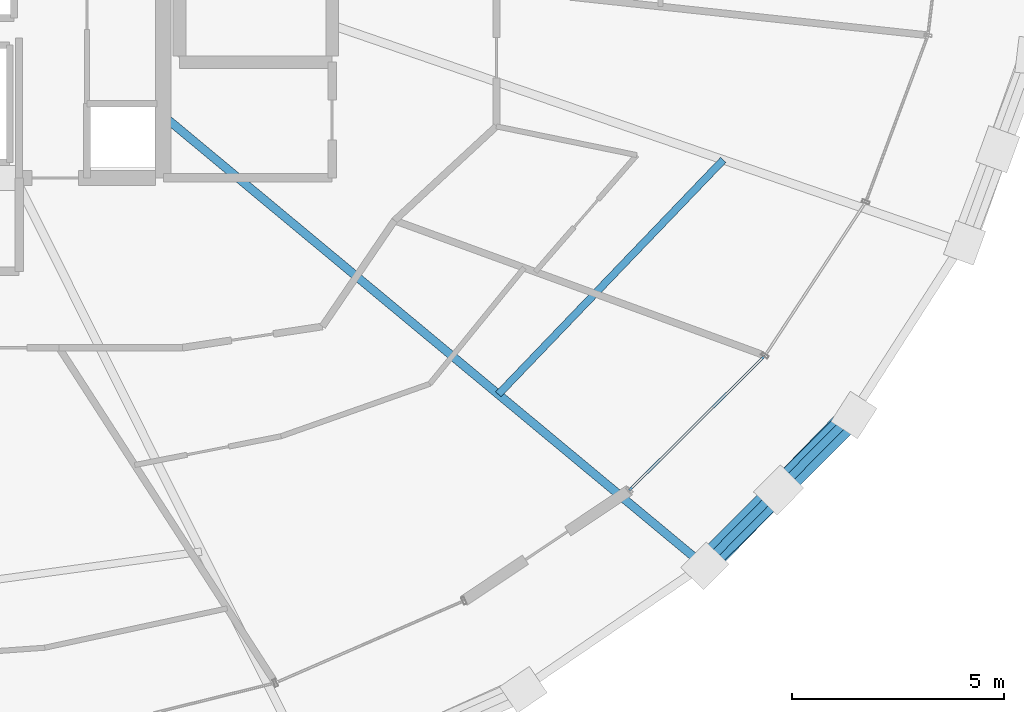
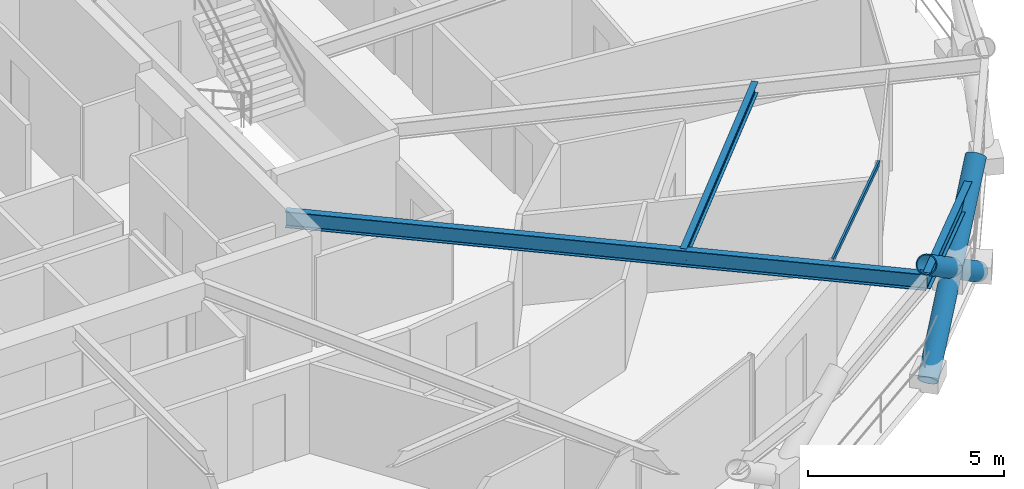
# One storey, part 8 of 19: 4 members, 3 beams, 1 element without a shape of its own.
"""IFC4 building model written with IfcOpenShell, lengths in metres."""

import ifcopenshell
import ifcopenshell.guid

model = None  # the IFC model being written
_history = None  # IfcOwnerHistory: only IFC2X3 demands one
_inside = {}  # id of a spatial element -> (the spatial element, [elements in it])
_under = {}  # id of a project, library or spatial element -> (it, [spatial elements below it])
_declared = {}  # id of a project -> (the project, [libraries it declares])
_typed = {}  # id of a type object -> (the type object, [elements of that type])
_made_of = {}  # id of a material, layer set ... -> (it, [elements and type objects made of it])


def new_model(schema):
    """Start an empty IFC model of exactly this schema.

    Asked for "IFC4X3", IfcOpenShell would pick the latest addendum, in which some entities
    have other attributes; the version numbers below select the first issue.
    IFC2X3 requires an IfcOwnerHistory on every rooted entity: one is made here for all.
    """
    global model, _history
    if schema == "IFC4X3":
        model = ifcopenshell.file(schema_version=(4, 3, 0, 0))
    else:
        model = ifcopenshell.file(schema=schema)
    _inside.clear()
    _under.clear()
    _declared.clear()
    _typed.clear()
    _made_of.clear()
    _history = None
    if model.schema == "IFC2X3":
        org = make("IfcOrganization", Name="unknown")
        user = make(
            "IfcPersonAndOrganization",
            ThePerson=make("IfcPerson", FamilyName="unknown"),
            TheOrganization=org,
        )
        app = make(
            "IfcApplication",
            ApplicationDeveloper=org,
            Version="unknown",
            ApplicationFullName="unknown",
            ApplicationIdentifier="unknown",
        )
        _history = make(
            "IfcOwnerHistory",
            OwningUser=user,
            OwningApplication=app,
            ChangeAction="ADDED",
            CreationDate=0,
        )
    return model


def make(cls, **values):
    """One entity of the class cls with the attributes given. An attribute that is None is left unset."""
    return model.create_entity(
        cls, **{name: value for name, value in values.items() if value is not None}
    )


def rooted(cls, **values):
    """An entity with a GlobalId (a new one), such as an element, a storey or a relation."""
    return make(cls, GlobalId=ifcopenshell.guid.new(), OwnerHistory=_history, **values)


def si_unit(unit_type, name, prefix=None):
    """IfcSIUnit, for example si_unit("LENGTHUNIT", "METRE", prefix="MILLI")."""
    return make("IfcSIUnit", UnitType=unit_type, Prefix=prefix, Name=name)


def assignment(units):
    """IfcUnitAssignment: the units of a project."""
    return None if units is None else make("IfcUnitAssignment", Units=units)


def point(xyz):
    """IfcCartesianPoint."""
    return None if xyz is None else make("IfcCartesianPoint", Coordinates=xyz)


def direction(xyz):
    """IfcDirection."""
    return None if xyz is None else make("IfcDirection", DirectionRatios=xyz)


def frame(location, z_axis=None, x_axis=None):
    """IfcAxis2Placement3D, a coordinate frame: its origin and axes. An axis left out is left unset."""
    return make(
        "IfcAxis2Placement3D",
        Location=point(location),
        Axis=direction(z_axis),
        RefDirection=direction(x_axis),
    )


def frame_2d(location, x_axis=None):
    """IfcAxis2Placement2D, a coordinate frame in the plane: its origin and x axis."""
    return make(
        "IfcAxis2Placement2D", Location=point(location), RefDirection=direction(x_axis)
    )


def origin():
    """The frame at (0, 0, 0) with its axes left unset."""
    return frame((0.0, 0.0, 0.0))


def origin_2d():
    """The frame at (0, 0) in the plane with its x axis left unset."""
    return frame_2d((0.0, 0.0))


def place(relative_to, where):
    """IfcLocalPlacement: puts the frame where relative to a parent placement (None: the world)."""
    return make(
        "IfcLocalPlacement", PlacementRelTo=relative_to, RelativePlacement=where
    )


def context(
    kind, dimensions, precision=None, world=None, true_north=None, identifier=None
):
    """IfcGeometricRepresentationContext, for example the 3D "Model" context."""
    return make(
        "IfcGeometricRepresentationContext",
        ContextIdentifier=identifier,
        ContextType=kind,
        CoordinateSpaceDimension=dimensions,
        Precision=precision,
        WorldCoordinateSystem=world,
        TrueNorth=true_north,
    )


def subcontext(parent, identifier, kind, view, scale=None):
    """IfcGeometricRepresentationSubContext, for example "Body" below "Model"."""
    return make(
        "IfcGeometricRepresentationSubContext",
        ContextIdentifier=identifier,
        ContextType=kind,
        ParentContext=parent,
        TargetScale=scale,
        TargetView=view,
    )


def project(units=None, contexts=None):
    """IfcProject with its units and contexts."""
    return rooted(
        "IfcProject",
        Name="project",
        RepresentationContexts=contexts,
        UnitsInContext=assignment(units),
    )


def spatial(cls, under=None, at=None, **own):
    """A site, building, storey or space (cls), placed at a placement, below another one or the project."""
    s = rooted(cls, ObjectPlacement=at, **own)
    if under is not None:
        _under.setdefault(under.id(), (under, []))[1].append(s)
    return s


def profile(cls, at=None, kind="AREA", **sizes):
    """A parametric profile (cls). Its sizes go by their IFC names, for example OverallWidth=200.0."""
    return make(cls, ProfileType=kind, Position=at, **sizes)


def hollow_rectangle(**sizes):
    """IfcRectangleHollowProfileDef."""
    return profile("IfcRectangleHollowProfileDef", **sizes)


def hollow_circle(**sizes):
    """IfcCircleHollowProfileDef."""
    return profile("IfcCircleHollowProfileDef", **sizes)


def i_section(**sizes):
    """IfcIShapeProfileDef."""
    return profile("IfcIShapeProfileDef", **sizes)


def extrude(swept, where, along, depth):
    """IfcExtrudedAreaSolid: the profile swept, set in the frame where, extruded along a direction by depth."""
    return make(
        "IfcExtrudedAreaSolid",
        SweptArea=swept,
        Position=where,
        ExtrudedDirection=direction(along),
        Depth=depth,
    )


def shape(context_of_items, identifier, shape_type, items):
    """IfcShapeRepresentation: the items that make up one representation, for example the "Body"."""
    return make(
        "IfcShapeRepresentation",
        ContextOfItems=context_of_items,
        RepresentationIdentifier=identifier,
        RepresentationType=shape_type,
        Items=items,
    )


def material(Name=None, Category=None):
    """IfcMaterial."""
    return make("IfcMaterial", Name=Name, Category=Category)


def layer(
    of_material, thickness, ventilated=None, Name=None, Category=None, Priority=None
):
    """IfcMaterialLayer: one layer of a wall or slab, of a material (None: an air gap)."""
    return make(
        "IfcMaterialLayer",
        Material=of_material,
        LayerThickness=thickness,
        IsVentilated=ventilated,
        Name=Name,
        Category=Category,
        Priority=Priority,
    )


def layer_set(layers, Name=None):
    """IfcMaterialLayerSet."""
    return make("IfcMaterialLayerSet", MaterialLayers=layers, LayerSetName=Name)


def material_profile(
    of_material, cross_section, Name=None, Category=None, Priority=None
):
    """IfcMaterialProfile: a cross section and its material."""
    return make(
        "IfcMaterialProfile",
        Name=Name,
        Material=of_material,
        Profile=cross_section,
        Priority=Priority,
        Category=Category,
    )


def profile_set(profiles, Name=None, composite=None):
    """IfcMaterialProfileSet."""
    return make(
        "IfcMaterialProfileSet",
        Name=Name,
        MaterialProfiles=profiles,
        CompositeProfile=composite,
    )


def made_of(thing, what):
    """Note that an element or type object is made of a material, layer set ...; save() writes the relation."""
    if what is not None:
        _made_of.setdefault(what.id(), (what, []))[1].append(thing)
    return thing


def type_object(cls, material=None, **own):
    """A type object (cls), such as IfcWallType, which elements share."""
    return made_of(rooted(cls, **own), material)


def element(
    cls,
    number,
    at=None,
    inside=None,
    cuts=None,
    type_object=None,
    material=None,
    context=None,
    identifier="Body",
    shape_type=None,
    held_by="IfcProductDefinitionShape",
    body=None,
    shapes=None,
    **own,
):
    """One element of the class cls, such as IfcWall. Its Tag is "e" and its number.

    at: its placement. inside: the storey or other place that contains it. cuts: it is an
    opening in that element (IfcRelVoidsElement). A single representation is given by context,
    identifier, shape_type and body (its items); several are given by shapes. held_by: the class
    of the entity that holds the representations. save() writes the other relations.
    """
    e = rooted(cls, Tag="e%d" % number, ObjectPlacement=at, **own)
    if body is not None:
        shapes = [shape(context, identifier, shape_type, body)]
    if shapes is not None:
        e.Representation = make(held_by, Representations=shapes)
    if inside is not None:
        _inside.setdefault(inside.id(), (inside, []))[1].append(e)
    if cuts is not None:
        rooted(
            "IfcRelVoidsElement", RelatingBuildingElement=cuts, RelatedOpeningElement=e
        )
    if type_object is not None:
        _typed.setdefault(type_object.id(), (type_object, []))[1].append(e)
    return made_of(e, material)


def aggregate(whole, parts):
    """IfcRelAggregates: a whole, such as a stair, and the parts it consists of."""
    return rooted("IfcRelAggregates", RelatingObject=whole, RelatedObjects=parts)


def save(model, path):
    """Write the relations noted so far, then the file.

    IfcRelAggregates (storeys below a building ...), IfcRelContainedInSpatialStructure (elements
    in a storey), IfcRelDefinesByType, IfcRelAssociatesMaterial and IfcRelDeclares: one each for
    every whole, place, type object, material and project.
    """
    for whole, parts in _under.values():
        aggregate(whole, parts)
    for where, things in _inside.values():
        rooted(
            "IfcRelContainedInSpatialStructure",
            RelatedElements=things,
            RelatingStructure=where,
        )
    for kind, things in _typed.values():
        rooted("IfcRelDefinesByType", RelatedObjects=things, RelatingType=kind)
    for what, things in _made_of.values():
        rooted("IfcRelAssociatesMaterial", RelatedObjects=things, RelatingMaterial=what)
    for by, libraries in _declared.values():
        rooted("IfcRelDeclares", RelatingContext=by, RelatedDefinitions=libraries)
    model.write(path)


model = new_model("IFC4")

# Units and contexts
model_context = context("Model", 3, precision=1e-05, world=origin(), true_north=direction((0.0, 1.0)))
body_context = subcontext(model_context, "Body", "Model", "MODEL_VIEW")
ifc_project = project(units=[si_unit("LENGTHUNIT", "METRE"), si_unit("AREAUNIT", "SQUARE_METRE"), si_unit("VOLUMEUNIT", "CUBIC_METRE"), si_unit("PLANEANGLEUNIT", "RADIAN"), si_unit("MASSUNIT", "GRAM", prefix="KILO")], contexts=[model_context])

# Site, building, storey
site_placement = place(None, origin())
site = spatial("IfcSite", under=ifc_project, at=site_placement, CompositionType="ELEMENT")
building_placement = place(site_placement, origin())
building = spatial("IfcBuilding", under=site, at=building_placement, Name="Veldorina Hangang Commons", CompositionType="ELEMENT")
storey_placement = place(building_placement, frame((0.0, 0.0, 156.800048828125)))
storey = spatial("IfcBuildingStorey", under=building, at=storey_placement, Name="L40", CompositionType="ELEMENT", Elevation=156.800048828125)

# Beams
ifc_material_1 = material(Name="Steel SM420-TMC", Category="steel")
ifc_material_profile_1 = material_profile(ifc_material_1, i_section(OverallWidth=0.199951171875, OverallDepth=0.5, WebThickness=0.010009765625, FlangeThickness=0.01611328125, FilletRadius=0.01611328125, at=origin_2d()), Name="H-500x200x10x16")
ifc_profile_set_1 = profile_set([ifc_material_profile_1], Name="Steel SM420-TMC")
beam_type_1 = type_object("IfcBeamType", Name="BM-FG500", PredefinedType="BEAM", material=ifc_profile_set_1)
beam_1_placement = place(storey_placement, frame((39.199951171875, 18.01513671875, 3.099853515625), z_axis=(0.769016904009, -0.639228442224, 0.0), x_axis=(0.639228442224, 0.769016904009, 0.0)))
element("IfcBeam", 1, at=beam_1_placement, inside=storey, type_object=beam_type_1, Name="L40 radial floor girder 15", PredefinedType="BEAM", context=body_context, shape_type="SweptSolid", body=[
    extrude(i_section(OverallWidth=0.199951171875, OverallDepth=0.5, WebThickness=0.010009765625, FlangeThickness=0.01611328125, FilletRadius=0.01611328125, at=origin_2d()), origin(), (0.0, 0.0, 1.0), 16.562744140625),
])
ifc_material_2 = material(Name="Steel SM355-TMC", Category="steel")
ifc_material_profile_2 = material_profile(ifc_material_2, i_section(OverallWidth=0.175048828125, OverallDepth=0.35009765625, WebThickness=0.007080078125, FlangeThickness=0.010986328125, FilletRadius=0.012939453125, at=origin_2d()), Name="H-350x175x7x11")
ifc_profile_set_2 = profile_set([ifc_material_profile_2], Name="Steel SM355-TMC")
beam_type_2 = type_object("IfcBeamType", Name="BM-JST350", PredefinedType="JOIST", material=ifc_profile_set_2)
beam_2_placement = place(storey_placement, frame((47.096923828125, 11.450927734375, 3.175048828125), z_axis=(0.692338019076, 0.721573327765, 0.0), x_axis=(-0.721573327765, 0.692338019076, 0.0)))
element("IfcBeam", 2, at=beam_2_placement, inside=storey, type_object=beam_type_2, Name="L40 secondary floor joist 15", PredefinedType="JOIST", context=body_context, shape_type="SweptSolid", body=[
    extrude(i_section(OverallWidth=0.175048828125, OverallDepth=0.35009765625, WebThickness=0.007080078125, FlangeThickness=0.010986328125, FilletRadius=0.012939453125, at=origin_2d()), origin(), (0.0, 0.0, 1.0), 7.65771484375),
])
ifc_material_profile_3 = material_profile(ifc_material_1, i_section(OverallWidth=0.199951171875, OverallDepth=0.5, WebThickness=0.010009765625, FlangeThickness=0.01611328125, FilletRadius=0.01611328125, at=origin_2d()), Name="H-500x200x10x16")
ifc_profile_set_3 = profile_set([ifc_material_profile_3], Name="Steel SM420-TMC")
beam_type_3 = type_object("IfcBeamType", Name="BM-RB500", PredefinedType="BEAM", material=ifc_profile_set_3)
beam_3_placement = place(storey_placement, frame((51.93701171875, 7.427734375, 3.099853515625), z_axis=(0.702567342584, 0.711617263095, 0.0), x_axis=(-0.711617263095, 0.702567342584, 0.0)))
element("IfcBeam", 3, at=beam_3_placement, inside=storey, type_object=beam_type_3, Name="L40 perimeter hoop ring beam 28", PredefinedType="BEAM", context=body_context, shape_type="SweptSolid", body=[
    extrude(i_section(OverallWidth=0.199951171875, OverallDepth=0.5, WebThickness=0.010009765625, FlangeThickness=0.01611328125, FilletRadius=0.01611328125, at=origin_2d()), origin(), (0.0, 0.0, 1.0), 4.99072265625),
])

# Curtain wall, member
ifc_material_3 = material(Name="Glass Low-E Triple IGU", Category="glass")
ifc_layer = layer(ifc_material_3, 0.179931640625)
ifc_layer_set = layer_set([ifc_layer], Name="Glass Low-E Triple IGU")
curtain_wall_type = type_object("IfcCurtainWallType", Name="CW-SYS-Z2", PredefinedType="NOTDEFINED", material=ifc_layer_set)
curtain_wall_placement = place(storey_placement, origin())
curtain_wall = element("IfcCurtainWall", 4, at=curtain_wall_placement, inside=storey, type_object=curtain_wall_type, Name="L40 unitised curtain wall CW-L40-R2", PredefinedType="NOTDEFINED")
ifc_material_4 = material(Name="Aluminium Anodized AA6063-T6", Category="aluminium")
ifc_material_profile_4 = material_profile(ifc_material_4, hollow_rectangle(XDim=0.06005859375, YDim=0.139892578125, WallThickness=0.00341796875, at=origin_2d()), Name="ALU-RHS-140x60x3.5")
ifc_profile_set_4 = profile_set([ifc_material_profile_4], Name="Aluminium Anodized AA6063-T6")
member_type_1 = type_object("IfcMemberType", Name="CW-TRN-140", PredefinedType="USERDEFINED", material=ifc_profile_set_4)
member_1_placement = place(storey_placement, frame((50.18310546875, 9.190185546875, 3.27001953125), z_axis=(0.709783906696, 0.704419481414, 0.0), x_axis=(-0.704419481414, 0.709783906696, 0.0)))
member_1 = element("IfcMember", 5, at=member_1_placement, type_object=member_type_1, Name="CW-L40-R2 facet 1 transom 1", ObjectType="TRANSOM", PredefinedType="USERDEFINED", context=body_context, shape_type="SweptSolid", body=[
    extrude(hollow_rectangle(XDim=0.06005859375, YDim=0.139892578125, WallThickness=0.00341796875, at=origin_2d()), origin(), (0.0, 0.0, 1.0), 4.505615234375),
])
aggregate(curtain_wall, [member_1])

# Members
ifc_material_profile_5 = material_profile(ifc_material_1, hollow_circle(Radius=0.27490234375, WallThickness=0.028076171875, at=origin_2d()), Name="CHS-550x28")
ifc_profile_set_5 = profile_set([ifc_material_profile_5], Name="Steel SM420-TMC")
member_type_2 = type_object("IfcMemberType", Name="DG-CHS550", PredefinedType="BRACE", material=ifc_profile_set_5)
member_2_placement = place(storey_placement, frame((51.965087890625, 7.408203125, 0.0), z_axis=(0.564943615654, 0.581306130216, 0.585595333063), x_axis=(-0.717127545721, 0.696941951075, 0.0)))
element("IfcMember", 6, at=member_2_placement, inside=storey, type_object=member_type_2, Name="L40 continuous perimeter diagrid brace 28", PredefinedType="BRACE", context=body_context, shape_type="SweptSolid", body=[
    extrude(hollow_circle(Radius=0.27490234375, WallThickness=0.028076171875, at=origin_2d()), origin(), (0.0, 0.0, 1.0), 6.1474609375),
])
member_3_placement = place(storey_placement, frame((55.4765625, 10.9638671875, 0.0), z_axis=(-0.575009045623, -0.573030349664, 0.583952751356), x_axis=(0.705887003361, -0.708324458483, 0.0)))
element("IfcMember", 7, at=member_3_placement, inside=storey, type_object=member_type_2, Name="L40 split perimeter diagrid lower brace 29", PredefinedType="BRACE", context=body_context, shape_type="SweptSolid", body=[
    extrude(hollow_circle(Radius=0.27490234375, WallThickness=0.028076171875, at=origin_2d()), origin(), (0.0, 0.0, 1.0), 3.084716796875),
])
member_4_placement = place(storey_placement, frame((53.702880859375, 9.1962890625, 1.80126953125), z_axis=(-0.574794034587, -0.573208614549, 0.583989470804), x_axis=(0.706129575867, -0.708082637894, 0.0)))
element("IfcMember", 8, at=member_4_placement, inside=storey, type_object=member_type_2, Name="L40 split perimeter diagrid upper brace 29", PredefinedType="BRACE", context=body_context, shape_type="SweptSolid", body=[
    extrude(hollow_circle(Radius=0.27490234375, WallThickness=0.028076171875, at=origin_2d()), origin(), (0.0, 0.0, 1.0), 3.079833984375),
])

save(model, "model.ifc")
